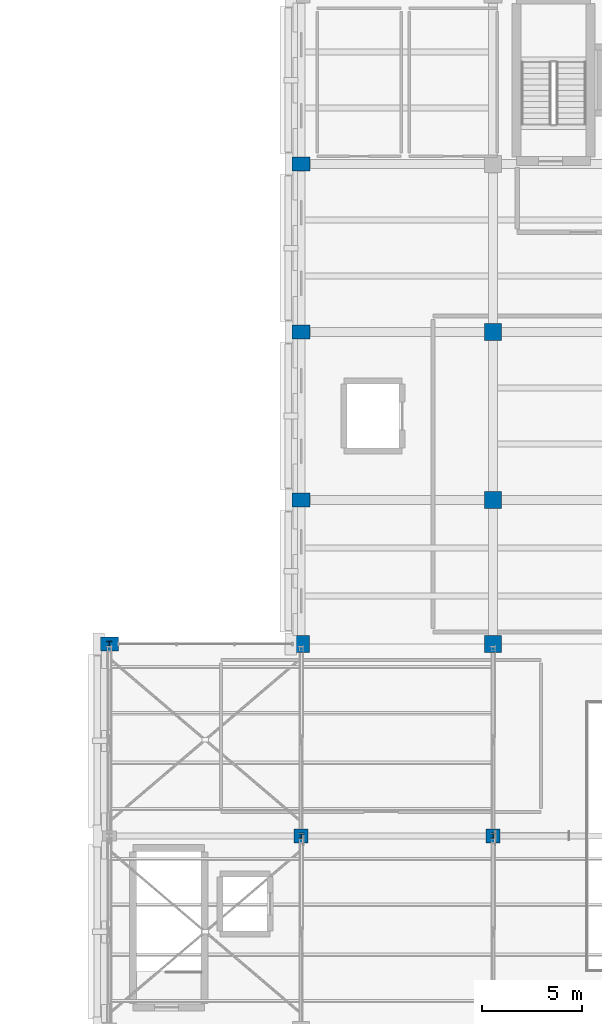
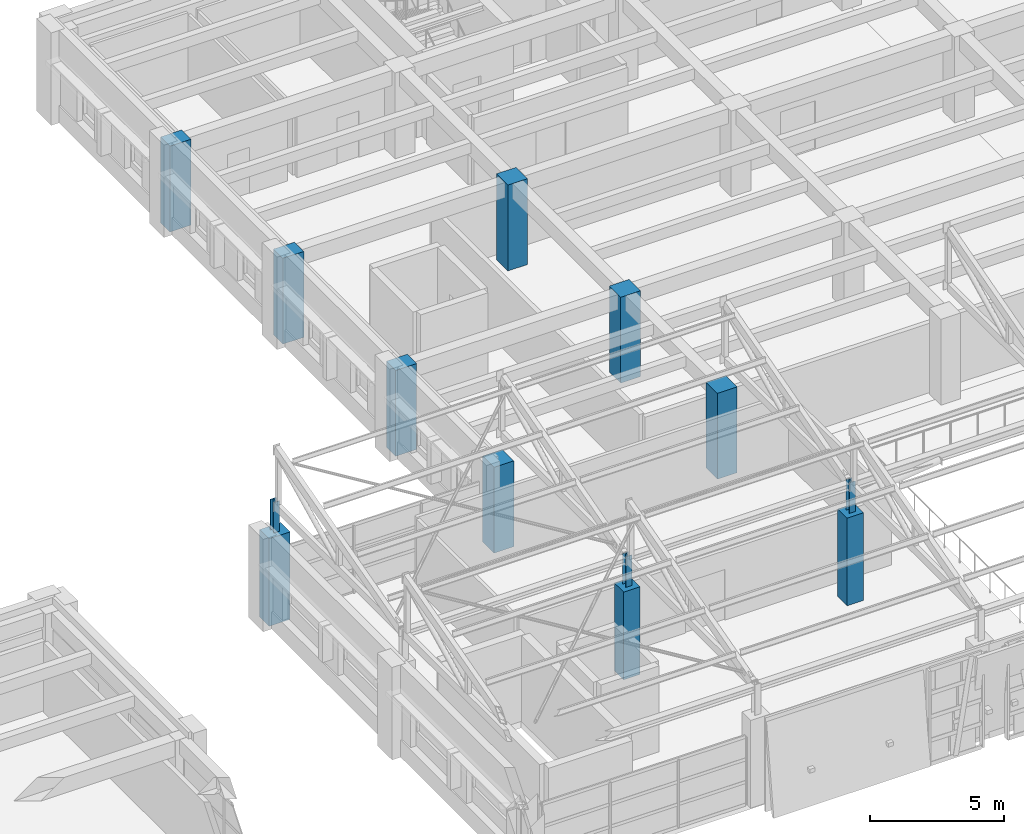
# One storey, part 6 of 58: 13 columns.
"""IFC4 building model written with IfcOpenShell, lengths in metres."""

from ifc_helpers import new_model, si_unit, direction, frame, origin, origin_2d, place, context, subcontext, project, spatial, rectangle, i_section, extrude, material, material_profile, profile_set, type_object, element, save


model = new_model("IFC4")

# Units and contexts
model_context = context("Model", 3, precision=1e-05, world=origin(), true_north=direction((0.0, 1.0)))
body_context = subcontext(model_context, "Body", "Model", "MODEL_VIEW")
ifc_project = project(units=[si_unit("LENGTHUNIT", "METRE"), si_unit("AREAUNIT", "SQUARE_METRE"), si_unit("VOLUMEUNIT", "CUBIC_METRE"), si_unit("PLANEANGLEUNIT", "RADIAN"), si_unit("MASSUNIT", "GRAM", prefix="KILO")], contexts=[model_context])

# Site, building, storey
site_placement = place(None, origin())
site = spatial("IfcSite", under=ifc_project, at=site_placement, CompositionType="ELEMENT")
building_placement = place(site_placement, origin())
building = spatial("IfcBuilding", under=site, at=building_placement, Name="Bempovik Park Faculty of Sciences", CompositionType="ELEMENT")
storey_placement = place(building_placement, frame((0.0, 0.0, 18.300048828125)))
storey = spatial("IfcBuildingStorey", under=building, at=storey_placement, Name="L04", CompositionType="ELEMENT", Elevation=18.300048828125)

# Columns
ifc_material_1 = material(Name="Concrete C40/50", Category="concrete")
ifc_material_profile_1 = material_profile(ifc_material_1, rectangle(XDim=0.89990234375, YDim=0.699951171875, at=origin_2d()), Name="RC 900x700")
ifc_profile_set_1 = profile_set([ifc_material_profile_1], Name="Concrete C40/50")
column_type_1 = type_object("IfcColumnType", Name="C-25 RC 900x700", PredefinedType="COLUMN", material=ifc_profile_set_1)
column_placement = place(storey_placement, frame((50.39990234375, 87.0, 0.0), z_axis=(0.0, 0.0, 1.0), x_axis=(1.0, 0.0, 0.0)))
element("IfcColumn", 1, at=column_placement, inside=storey, type_object=column_type_1, Name="L04 Structural Column (50.4,87.0)", PredefinedType="COLUMN", context=body_context, shape_type="SweptSolid", body=[
    extrude(rectangle(XDim=0.89990234375, YDim=0.699951171875, at=origin_2d()), origin(), (0.0, 0.0, 1.0), 3.97998046875),
])
for number, where, z_axis, x_axis, name in (
    (2, (60.0, 94.199951171875, 0.0), (0.0, 0.0, 1.0), (1.0, 0.0, 0.0), "L04 Structural Column (60.0,94.2)"),
    (3, (60.0, 102.60009765625, 0.0), (0.0, 0.0, 1.0), (1.0, 0.0, 0.0), "L04 Structural Column (60.0,102.6)"),
    (4, (60.0, 111.0, 0.0), (0.0, 0.0, 1.0), (1.0, 0.0, 0.0), "L04 Structural Column (60.0,111.0)"),
):
    element("IfcColumn", number, at=place(storey_placement, frame(where, z_axis=z_axis, x_axis=x_axis)), inside=storey, type_object=column_type_1, Name=name, PredefinedType="COLUMN", context=body_context, shape_type="SweptSolid", body=[
        extrude(rectangle(XDim=0.89990234375, YDim=0.699951171875, at=origin_2d()), origin(), (0.0, 0.0, 1.0), 3.89990234375),
    ])
ifc_material_profile_2 = material_profile(ifc_material_1, rectangle(XDim=0.699951171875, YDim=0.699951171875, at=origin_2d()), Name="RC 700x700")
ifc_profile_set_2 = profile_set([ifc_material_profile_2], Name="Concrete C40/50")
column_type_2 = type_object("IfcColumnType", Name="C-34 RC 700x700", PredefinedType="COLUMN", material=ifc_profile_set_2)
for number, where, z_axis, x_axis, name in (
    (5, (60.0, 77.39990234375, 0.0), (0.0, 0.0, 1.0), (1.0, 0.0, 0.0), "L04 Structural Column (60.0,77.4)"),
    (6, (69.60009765625, 77.39990234375, 0.0), (0.0, 0.0, 1.0), (1.0, 0.0, 0.0), "L04 Structural Column (69.6,77.4)"),
):
    element("IfcColumn", number, at=place(storey_placement, frame(where, z_axis=z_axis, x_axis=x_axis)), inside=storey, type_object=column_type_2, Name=name, PredefinedType="COLUMN", context=body_context, shape_type="SweptSolid", body=[
        extrude(rectangle(XDim=0.699951171875, YDim=0.699951171875, at=origin_2d()), origin(), (0.0, 0.0, 1.0), 3.97998046875),
    ])
ifc_material_profile_3 = material_profile(ifc_material_1, rectangle(XDim=0.85009765625, YDim=0.85009765625, at=origin_2d()), Name="RC 850x850")
ifc_profile_set_3 = profile_set([ifc_material_profile_3], Name="Concrete C40/50")
column_type_3 = type_object("IfcColumnType", Name="C-36 RC 850x850", PredefinedType="COLUMN", material=ifc_profile_set_3)
for number, where, z_axis, x_axis, name in (
    (7, (60.0, 87.0, 0.0), (0.0, 0.0, 1.0), (1.0, 0.0, 0.0), "L04 Structural Column (60.0,87.0)"),
    (8, (69.60009765625, 87.0, 0.0), (0.0, 0.0, 1.0), (1.0, 0.0, 0.0), "L04 Structural Column (69.6,87.0)"),
    (9, (69.60009765625, 94.199951171875, 0.0), (0.0, 0.0, 1.0), (1.0, 0.0, 0.0), "L04 Structural Column (69.6,94.2)"),
    (10, (69.60009765625, 102.60009765625, 0.0), (0.0, 0.0, 1.0), (1.0, 0.0, 0.0), "L04 Structural Column (69.6,102.6)"),
):
    element("IfcColumn", number, at=place(storey_placement, frame(where, z_axis=z_axis, x_axis=x_axis)), inside=storey, type_object=column_type_3, Name=name, PredefinedType="COLUMN", context=body_context, shape_type="SweptSolid", body=[
        extrude(rectangle(XDim=0.85009765625, YDim=0.85009765625, at=origin_2d()), origin(), (0.0, 0.0, 1.0), 3.89990234375),
    ])
ifc_material_2 = material(Name="Steel S355", Category="steel")
ifc_material_profile_4 = material_profile(ifc_material_2, i_section(OverallWidth=0.260009765625, OverallDepth=0.260009765625, WebThickness=0.010009765625, FlangeThickness=0.017578125, at=origin_2d()), Name="HEB 260")
ifc_profile_set_4 = profile_set([ifc_material_profile_4], Name="Steel S355")
column_type_4 = type_object("IfcColumnType", Name="C-80 HEB 260", PredefinedType="COLUMN", material=ifc_profile_set_4)
for number, where, z_axis, x_axis, name in (
    (11, (50.39990234375, 87.0, 3.98583984375), (0.0, 0.0, 1.0), (1.0, 0.0, 0.0), "Sawtooth Clerestory Steel Column V2 (50.4,87.0)"),
    (12, (60.0, 77.39990234375, 3.98583984375), (0.0, 0.0, 1.0), (1.0, 0.0, 0.0), "Sawtooth Clerestory Steel Column V2 (60.0,77.4)"),
    (13, (69.60009765625, 77.39990234375, 3.98583984375), (0.0, 0.0, 1.0), (1.0, 0.0, 0.0), "Sawtooth Clerestory Steel Column V2 (69.6,77.4)"),
):
    element("IfcColumn", number, at=place(storey_placement, frame(where, z_axis=z_axis, x_axis=x_axis)), inside=storey, type_object=column_type_4, Name=name, PredefinedType="COLUMN", context=body_context, shape_type="SweptSolid", body=[
        extrude(i_section(OverallWidth=0.260009765625, OverallDepth=0.260009765625, WebThickness=0.010009765625, FlangeThickness=0.017578125, at=origin_2d()), origin(), (0.0, 0.0, 1.0), 1.38916015625),
    ])

save(model, "model.ifc")
